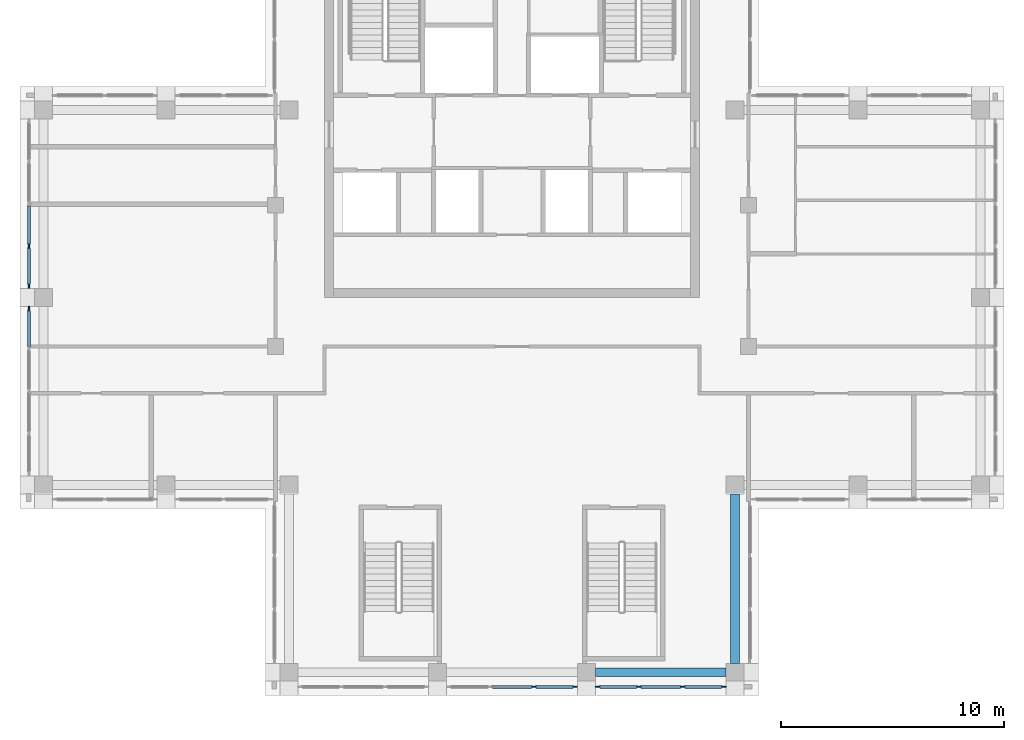
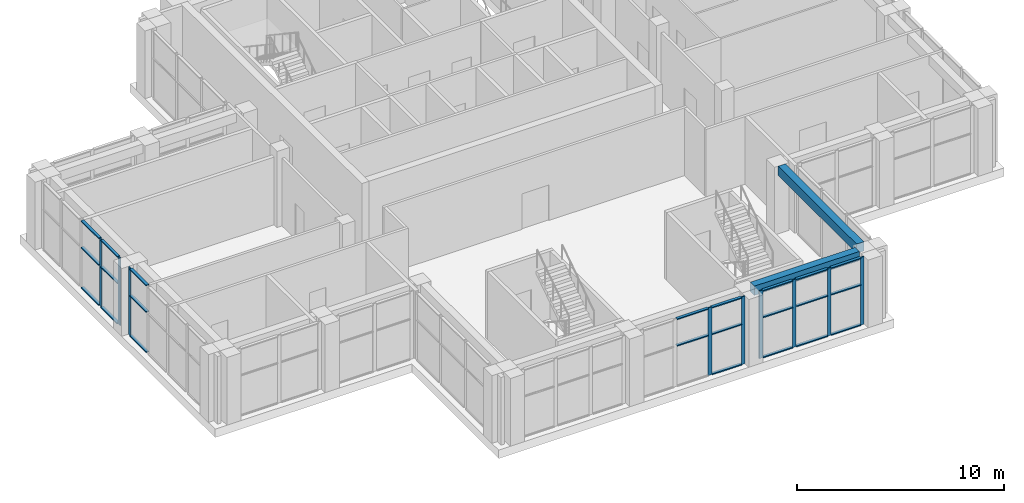
# One storey, part 3 of 14: 32 members, 2 beams, 4 elements without a shape of their own.
"""IFC4 building model written with IfcOpenShell, lengths in metres."""

from ifc_helpers import new_model, si_unit, direction, frame, origin, origin_2d, place, context, subcontext, project, spatial, rectangle, extrude, material, material_profile, profile_set, type_object, element, aggregate, save


model = new_model("IFC4")

# Units and contexts
model_context = context("Model", 3, precision=1e-05, world=origin(), true_north=direction((0.0, 1.0)))
body_context = subcontext(model_context, "Body", "Model", "MODEL_VIEW")
ifc_project = project(units=[si_unit("LENGTHUNIT", "METRE"), si_unit("AREAUNIT", "SQUARE_METRE"), si_unit("VOLUMEUNIT", "CUBIC_METRE"), si_unit("PLANEANGLEUNIT", "RADIAN"), si_unit("MASSUNIT", "GRAM", prefix="KILO")], contexts=[model_context])

# Site, building, storey
site_placement = place(None, origin())
site = spatial("IfcSite", under=ifc_project, at=site_placement, CompositionType="ELEMENT")
building_placement = place(site_placement, origin())
building = spatial("IfcBuilding", under=site, at=building_placement, Name="Vermilion Ogive Tower", CompositionType="ELEMENT")
storey_placement = place(building_placement, frame((0.0, 0.0, 273.85009765625)))
storey = spatial("IfcBuildingStorey", under=building, at=storey_placement, Name="L72", CompositionType="ELEMENT", Elevation=273.85009765625)

# Curtain wall, members
ifc_material_1 = material(Name="Laminated solar-control glazing in aluminium frame", Category="aluminium")
curtain_wall_type = type_object("IfcCurtainWallType", Name="Curtain wall CW4", PredefinedType="NOTDEFINED", material=ifc_material_1)
curtain_wall_1_placement = place(storey_placement, origin())
curtain_wall_1 = element("IfcCurtainWall", 1, at=curtain_wall_1_placement, inside=storey, type_object=curtain_wall_type, Name="CW4 glazing S2", PredefinedType="NOTDEFINED")
ifc_material_2 = material(Name="Aluminium mullion", Category="aluminium")
ifc_material_profile_1 = material_profile(ifc_material_2, rectangle(XDim=0.06005859375, YDim=0.199951171875, at=origin_2d()), Name="AL 60x200")
ifc_profile_set_1 = profile_set([ifc_material_profile_1], Name="Aluminium mullion")
member_type_1 = type_object("IfcMemberType", Name="CW4 mullion 60x200", PredefinedType="MULLION", material=ifc_profile_set_1)
member_1_placement = place(storey_placement, frame((0.977783203125, -13.25, 0.0), z_axis=(0.0, 0.0, 1.0), x_axis=(0.0, 1.0, 0.0)))
member_1 = element("IfcMember", 2, at=member_1_placement, type_object=member_type_1, Name="CW4-S2 mullion 3", PredefinedType="MULLION", context=body_context, shape_type="SweptSolid", body=[
    extrude(rectangle(XDim=0.06005859375, YDim=0.199951171875, at=origin_2d()), origin(), (0.0, 0.0, 1.0), 4.0),
])
member_2_placement = place(storey_placement, frame((2.833251953125, -13.25, 0.0), z_axis=(0.0, 0.0, 1.0), x_axis=(0.0, 1.0, 0.0)))
member_2 = element("IfcMember", 3, at=member_2_placement, type_object=member_type_1, Name="CW4-S2 mullion 4", PredefinedType="MULLION", context=body_context, shape_type="SweptSolid", body=[
    extrude(rectangle(XDim=0.06005859375, YDim=0.199951171875, at=origin_2d()), origin(), (0.0, 0.0, 1.0), 4.0),
])

curtain_wall_2_placement = place(storey_placement, origin())
curtain_wall_2 = element("IfcCurtainWall", 4, at=curtain_wall_2_placement, inside=storey, type_object=curtain_wall_type, Name="CW4 glazing S3", PredefinedType="NOTDEFINED")
member_3_placement = place(storey_placement, frame((3.833251953125, -13.25, 0.0), z_axis=(0.0, 0.0, 1.0), x_axis=(0.0, 1.0, 0.0)))
member_3 = element("IfcMember", 5, at=member_3_placement, type_object=member_type_1, Name="CW4-S3 mullion 1", PredefinedType="MULLION", context=body_context, shape_type="SweptSolid", body=[
    extrude(rectangle(XDim=0.06005859375, YDim=0.199951171875, at=origin_2d()), origin(), (0.0, 0.0, 1.0), 4.0),
])
member_4_placement = place(storey_placement, frame((5.68896484375, -13.25, 0.0), z_axis=(0.0, 0.0, 1.0), x_axis=(0.0, 1.0, 0.0)))
member_4 = element("IfcMember", 6, at=member_4_placement, type_object=member_type_1, Name="CW4-S3 mullion 2", PredefinedType="MULLION", context=body_context, shape_type="SweptSolid", body=[
    extrude(rectangle(XDim=0.06005859375, YDim=0.199951171875, at=origin_2d()), origin(), (0.0, 0.0, 1.0), 4.0),
])
member_5_placement = place(storey_placement, frame((7.64453125, -13.25, 0.0), z_axis=(0.0, 0.0, 1.0), x_axis=(0.0, 1.0, 0.0)))
member_5 = element("IfcMember", 7, at=member_5_placement, type_object=member_type_1, Name="CW4-S3 mullion 3", PredefinedType="MULLION", context=body_context, shape_type="SweptSolid", body=[
    extrude(rectangle(XDim=0.06005859375, YDim=0.199951171875, at=origin_2d()), origin(), (0.0, 0.0, 1.0), 4.0),
])
member_6_placement = place(storey_placement, frame((9.5, -13.25, 0.0), z_axis=(0.0, 0.0, 1.0), x_axis=(0.0, 1.0, 0.0)))
member_6 = element("IfcMember", 8, at=member_6_placement, type_object=member_type_1, Name="CW4-S3 mullion 4", PredefinedType="MULLION", context=body_context, shape_type="SweptSolid", body=[
    extrude(rectangle(XDim=0.06005859375, YDim=0.199951171875, at=origin_2d()), origin(), (0.0, 0.0, 1.0), 4.0),
])

curtain_wall_3_placement = place(storey_placement, origin())
curtain_wall_3 = element("IfcCurtainWall", 9, at=curtain_wall_3_placement, inside=storey, type_object=curtain_wall_type, Name="CW4 glazing W1", PredefinedType="NOTDEFINED")
member_7_placement = place(storey_placement, frame((-21.64990234375, 6.5, 0.0), z_axis=(0.0, 0.0, 1.0), x_axis=(1.0, 0.0, 0.0)))
member_7 = element("IfcMember", 10, at=member_7_placement, type_object=member_type_1, Name="CW4-W1 mullion 4", PredefinedType="MULLION", context=body_context, shape_type="SweptSolid", body=[
    extrude(rectangle(XDim=0.06005859375, YDim=0.199951171875, at=origin_2d()), origin(), (0.0, 0.0, 1.0), 4.0),
])
member_8_placement = place(storey_placement, frame((-21.64990234375, 4.699951171875, 0.0), z_axis=(0.0, 0.0, 1.0), x_axis=(1.0, 0.0, 0.0)))
member_8 = element("IfcMember", 11, at=member_8_placement, type_object=member_type_1, Name="CW4-W1 mullion 5", PredefinedType="MULLION", context=body_context, shape_type="SweptSolid", body=[
    extrude(rectangle(XDim=0.06005859375, YDim=0.199951171875, at=origin_2d()), origin(), (0.0, 0.0, 1.0), 4.0),
])

# Curtain wall, member
curtain_wall_4_placement = place(storey_placement, origin())
curtain_wall_4 = element("IfcCurtainWall", 12, at=curtain_wall_4_placement, inside=storey, type_object=curtain_wall_type, Name="CW4 glazing W2", PredefinedType="NOTDEFINED")
member_9_placement = place(storey_placement, frame((-21.64990234375, 3.699951171875, 0.0), z_axis=(0.0, 0.0, 1.0), x_axis=(1.0, 0.0, 0.0)))
member_9 = element("IfcMember", 13, at=member_9_placement, type_object=member_type_1, Name="CW4-W2 mullion 1", PredefinedType="MULLION", context=body_context, shape_type="SweptSolid", body=[
    extrude(rectangle(XDim=0.06005859375, YDim=0.199951171875, at=origin_2d()), origin(), (0.0, 0.0, 1.0), 4.0),
])

# Member
ifc_material_3 = material(Name="Aluminium transom", Category="aluminium")
ifc_material_profile_2 = material_profile(ifc_material_3, rectangle(XDim=0.159912109375, YDim=0.06005859375, at=origin_2d()), Name="AL 60x160")
ifc_profile_set_2 = profile_set([ifc_material_profile_2], Name="Aluminium transom")
member_type_2 = type_object("IfcMemberType", Name="CW4 transom 60x160", PredefinedType="USERDEFINED", material=ifc_profile_set_2)
member_10_placement = place(storey_placement, frame((-0.877685546875, -13.25, 2.39990234375), z_axis=(1.0, 0.0, 0.0), x_axis=(0.0, 1.0, 0.0)))
member_10 = element("IfcMember", 14, at=member_10_placement, type_object=member_type_2, Name="CW4-S2 transom 2.2", ObjectType="TRANSOM", PredefinedType="USERDEFINED", context=body_context, shape_type="SweptSolid", body=[
    extrude(rectangle(XDim=0.159912109375, YDim=0.06005859375, at=origin_2d()), origin(), (0.0, 0.0, 1.0), 1.75537109375),
])

member_11_placement = place(storey_placement, frame((-0.877685546875, -13.25, 3.969970703125), z_axis=(1.0, 0.0, 0.0), x_axis=(0.0, 1.0, 0.0)))
member_11 = element("IfcMember", 15, at=member_11_placement, type_object=member_type_2, Name="CW4-S2 transom 2.3", ObjectType="TRANSOM", PredefinedType="USERDEFINED", context=body_context, shape_type="SweptSolid", body=[
    extrude(rectangle(XDim=0.159912109375, YDim=0.06005859375, at=origin_2d()), origin(), (0.0, 0.0, 1.0), 1.75537109375),
])

member_12_placement = place(storey_placement, frame((1.077880859375, -13.25, 0.02978515625), z_axis=(1.0, 0.0, 0.0), x_axis=(0.0, 1.0, 0.0)))
member_12 = element("IfcMember", 16, at=member_12_placement, type_object=member_type_2, Name="CW4-S2 transom 3.1", ObjectType="TRANSOM", PredefinedType="USERDEFINED", context=body_context, shape_type="SweptSolid", body=[
    extrude(rectangle(XDim=0.159912109375, YDim=0.06005859375, at=origin_2d()), origin(), (0.0, 0.0, 1.0), 1.655517578125),
])

member_13_placement = place(storey_placement, frame((1.077880859375, -13.25, 2.39990234375), z_axis=(1.0, 0.0, 0.0), x_axis=(0.0, 1.0, 0.0)))
member_13 = element("IfcMember", 17, at=member_13_placement, type_object=member_type_2, Name="CW4-S2 transom 3.2", ObjectType="TRANSOM", PredefinedType="USERDEFINED", context=body_context, shape_type="SweptSolid", body=[
    extrude(rectangle(XDim=0.159912109375, YDim=0.06005859375, at=origin_2d()), origin(), (0.0, 0.0, 1.0), 1.655517578125),
])

member_14_placement = place(storey_placement, frame((1.077880859375, -13.25, 3.969970703125), z_axis=(1.0, 0.0, 0.0), x_axis=(0.0, 1.0, 0.0)))
member_14 = element("IfcMember", 18, at=member_14_placement, type_object=member_type_2, Name="CW4-S2 transom 3.3", ObjectType="TRANSOM", PredefinedType="USERDEFINED", context=body_context, shape_type="SweptSolid", body=[
    extrude(rectangle(XDim=0.159912109375, YDim=0.06005859375, at=origin_2d()), origin(), (0.0, 0.0, 1.0), 1.655517578125),
])

aggregate(curtain_wall_1, [member_1, member_2, member_10, member_11, member_12, member_13, member_14])

member_15_placement = place(storey_placement, frame((3.933349609375, -13.25, 0.02978515625), z_axis=(1.0, 0.0, 0.0), x_axis=(0.0, 1.0, 0.0)))
member_15 = element("IfcMember", 19, at=member_15_placement, type_object=member_type_2, Name="CW4-S3 transom 1.1", ObjectType="TRANSOM", PredefinedType="USERDEFINED", context=body_context, shape_type="SweptSolid", body=[
    extrude(rectangle(XDim=0.159912109375, YDim=0.06005859375, at=origin_2d()), origin(), (0.0, 0.0, 1.0), 1.655517578125),
])

member_16_placement = place(storey_placement, frame((3.933349609375, -13.25, 2.39990234375), z_axis=(1.0, 0.0, 0.0), x_axis=(0.0, 1.0, 0.0)))
member_16 = element("IfcMember", 20, at=member_16_placement, type_object=member_type_2, Name="CW4-S3 transom 1.2", ObjectType="TRANSOM", PredefinedType="USERDEFINED", context=body_context, shape_type="SweptSolid", body=[
    extrude(rectangle(XDim=0.159912109375, YDim=0.06005859375, at=origin_2d()), origin(), (0.0, 0.0, 1.0), 1.655517578125),
])

member_17_placement = place(storey_placement, frame((3.933349609375, -13.25, 3.969970703125), z_axis=(1.0, 0.0, 0.0), x_axis=(0.0, 1.0, 0.0)))
member_17 = element("IfcMember", 21, at=member_17_placement, type_object=member_type_2, Name="CW4-S3 transom 1.3", ObjectType="TRANSOM", PredefinedType="USERDEFINED", context=body_context, shape_type="SweptSolid", body=[
    extrude(rectangle(XDim=0.159912109375, YDim=0.06005859375, at=origin_2d()), origin(), (0.0, 0.0, 1.0), 1.655517578125),
])

member_18_placement = place(storey_placement, frame((5.788818359375, -13.25, 0.02978515625), z_axis=(1.0, 0.0, 0.0), x_axis=(0.0, 1.0, 0.0)))
member_18 = element("IfcMember", 22, at=member_18_placement, type_object=member_type_2, Name="CW4-S3 transom 2.1", ObjectType="TRANSOM", PredefinedType="USERDEFINED", context=body_context, shape_type="SweptSolid", body=[
    extrude(rectangle(XDim=0.159912109375, YDim=0.06005859375, at=origin_2d()), origin(), (0.0, 0.0, 1.0), 1.755615234375),
])

member_19_placement = place(storey_placement, frame((5.788818359375, -13.25, 2.39990234375), z_axis=(1.0, 0.0, 0.0), x_axis=(0.0, 1.0, 0.0)))
member_19 = element("IfcMember", 23, at=member_19_placement, type_object=member_type_2, Name="CW4-S3 transom 2.2", ObjectType="TRANSOM", PredefinedType="USERDEFINED", context=body_context, shape_type="SweptSolid", body=[
    extrude(rectangle(XDim=0.159912109375, YDim=0.06005859375, at=origin_2d()), origin(), (0.0, 0.0, 1.0), 1.755615234375),
])

member_20_placement = place(storey_placement, frame((5.788818359375, -13.25, 3.969970703125), z_axis=(1.0, 0.0, 0.0), x_axis=(0.0, 1.0, 0.0)))
member_20 = element("IfcMember", 24, at=member_20_placement, type_object=member_type_2, Name="CW4-S3 transom 2.3", ObjectType="TRANSOM", PredefinedType="USERDEFINED", context=body_context, shape_type="SweptSolid", body=[
    extrude(rectangle(XDim=0.159912109375, YDim=0.06005859375, at=origin_2d()), origin(), (0.0, 0.0, 1.0), 1.755615234375),
])

member_21_placement = place(storey_placement, frame((7.744384765625, -13.25, 0.02978515625), z_axis=(1.0, 0.0, 0.0), x_axis=(0.0, 1.0, 0.0)))
member_21 = element("IfcMember", 25, at=member_21_placement, type_object=member_type_2, Name="CW4-S3 transom 3.1", ObjectType="TRANSOM", PredefinedType="USERDEFINED", context=body_context, shape_type="SweptSolid", body=[
    extrude(rectangle(XDim=0.159912109375, YDim=0.06005859375, at=origin_2d()), origin(), (0.0, 0.0, 1.0), 1.655517578125),
])

member_22_placement = place(storey_placement, frame((7.744384765625, -13.25, 2.39990234375), z_axis=(1.0, 0.0, 0.0), x_axis=(0.0, 1.0, 0.0)))
member_22 = element("IfcMember", 26, at=member_22_placement, type_object=member_type_2, Name="CW4-S3 transom 3.2", ObjectType="TRANSOM", PredefinedType="USERDEFINED", context=body_context, shape_type="SweptSolid", body=[
    extrude(rectangle(XDim=0.159912109375, YDim=0.06005859375, at=origin_2d()), origin(), (0.0, 0.0, 1.0), 1.655517578125),
])

member_23_placement = place(storey_placement, frame((7.744384765625, -13.25, 3.969970703125), z_axis=(1.0, 0.0, 0.0), x_axis=(0.0, 1.0, 0.0)))
member_23 = element("IfcMember", 27, at=member_23_placement, type_object=member_type_2, Name="CW4-S3 transom 3.3", ObjectType="TRANSOM", PredefinedType="USERDEFINED", context=body_context, shape_type="SweptSolid", body=[
    extrude(rectangle(XDim=0.159912109375, YDim=0.06005859375, at=origin_2d()), origin(), (0.0, 0.0, 1.0), 1.655517578125),
])

aggregate(curtain_wall_2, [member_3, member_4, member_5, member_6, member_15, member_16, member_17, member_18, member_19, member_20, member_21, member_22, member_23])

member_24_placement = place(storey_placement, frame((-21.64990234375, 8.300048828125, 0.02978515625), z_axis=(0.0, -1.0, 0.0), x_axis=(1.0, 0.0, 0.0)))
member_24 = element("IfcMember", 28, at=member_24_placement, type_object=member_type_2, Name="CW4-W1 transom 3.1", ObjectType="TRANSOM", PredefinedType="USERDEFINED", context=body_context, shape_type="SweptSolid", body=[
    extrude(rectangle(XDim=0.159912109375, YDim=0.06005859375, at=origin_2d()), origin(), (0.0, 0.0, 1.0), 1.699951171875),
])

member_25_placement = place(storey_placement, frame((-21.64990234375, 8.300048828125, 2.39990234375), z_axis=(0.0, -1.0, 0.0), x_axis=(1.0, 0.0, 0.0)))
member_25 = element("IfcMember", 29, at=member_25_placement, type_object=member_type_2, Name="CW4-W1 transom 3.2", ObjectType="TRANSOM", PredefinedType="USERDEFINED", context=body_context, shape_type="SweptSolid", body=[
    extrude(rectangle(XDim=0.159912109375, YDim=0.06005859375, at=origin_2d()), origin(), (0.0, 0.0, 1.0), 1.699951171875),
])

member_26_placement = place(storey_placement, frame((-21.64990234375, 8.300048828125, 3.969970703125), z_axis=(0.0, -1.0, 0.0), x_axis=(1.0, 0.0, 0.0)))
member_26 = element("IfcMember", 30, at=member_26_placement, type_object=member_type_2, Name="CW4-W1 transom 3.3", ObjectType="TRANSOM", PredefinedType="USERDEFINED", context=body_context, shape_type="SweptSolid", body=[
    extrude(rectangle(XDim=0.159912109375, YDim=0.06005859375, at=origin_2d()), origin(), (0.0, 0.0, 1.0), 1.699951171875),
])

member_27_placement = place(storey_placement, frame((-21.64990234375, 6.39990234375, 0.02978515625), z_axis=(0.0, -1.0, 0.0), x_axis=(1.0, 0.0, 0.0)))
member_27 = element("IfcMember", 31, at=member_27_placement, type_object=member_type_2, Name="CW4-W1 transom 4.1", ObjectType="TRANSOM", PredefinedType="USERDEFINED", context=body_context, shape_type="SweptSolid", body=[
    extrude(rectangle(XDim=0.159912109375, YDim=0.06005859375, at=origin_2d()), origin(), (0.0, 0.0, 1.0), 1.599853515625),
])

member_28_placement = place(storey_placement, frame((-21.64990234375, 6.39990234375, 2.39990234375), z_axis=(0.0, -1.0, 0.0), x_axis=(1.0, 0.0, 0.0)))
member_28 = element("IfcMember", 32, at=member_28_placement, type_object=member_type_2, Name="CW4-W1 transom 4.2", ObjectType="TRANSOM", PredefinedType="USERDEFINED", context=body_context, shape_type="SweptSolid", body=[
    extrude(rectangle(XDim=0.159912109375, YDim=0.06005859375, at=origin_2d()), origin(), (0.0, 0.0, 1.0), 1.599853515625),
])

member_29_placement = place(storey_placement, frame((-21.64990234375, 6.39990234375, 3.969970703125), z_axis=(0.0, -1.0, 0.0), x_axis=(1.0, 0.0, 0.0)))
member_29 = element("IfcMember", 33, at=member_29_placement, type_object=member_type_2, Name="CW4-W1 transom 4.3", ObjectType="TRANSOM", PredefinedType="USERDEFINED", context=body_context, shape_type="SweptSolid", body=[
    extrude(rectangle(XDim=0.159912109375, YDim=0.06005859375, at=origin_2d()), origin(), (0.0, 0.0, 1.0), 1.599853515625),
])

aggregate(curtain_wall_3, [member_7, member_8, member_24, member_25, member_26, member_27, member_28, member_29])

member_30_placement = place(storey_placement, frame((-21.64990234375, 3.60009765625, 0.02978515625), z_axis=(0.0, -1.0, 0.0), x_axis=(1.0, 0.0, 0.0)))
member_30 = element("IfcMember", 34, at=member_30_placement, type_object=member_type_2, Name="CW4-W2 transom 1.1", ObjectType="TRANSOM", PredefinedType="USERDEFINED", context=body_context, shape_type="SweptSolid", body=[
    extrude(rectangle(XDim=0.159912109375, YDim=0.06005859375, at=origin_2d()), origin(), (0.0, 0.0, 1.0), 1.60009765625),
])

member_31_placement = place(storey_placement, frame((-21.64990234375, 3.60009765625, 2.39990234375), z_axis=(0.0, -1.0, 0.0), x_axis=(1.0, 0.0, 0.0)))
member_31 = element("IfcMember", 35, at=member_31_placement, type_object=member_type_2, Name="CW4-W2 transom 1.2", ObjectType="TRANSOM", PredefinedType="USERDEFINED", context=body_context, shape_type="SweptSolid", body=[
    extrude(rectangle(XDim=0.159912109375, YDim=0.06005859375, at=origin_2d()), origin(), (0.0, 0.0, 1.0), 1.60009765625),
])

member_32_placement = place(storey_placement, frame((-21.64990234375, 3.60009765625, 3.969970703125), z_axis=(0.0, -1.0, 0.0), x_axis=(1.0, 0.0, 0.0)))
member_32 = element("IfcMember", 36, at=member_32_placement, type_object=member_type_2, Name="CW4-W2 transom 1.3", ObjectType="TRANSOM", PredefinedType="USERDEFINED", context=body_context, shape_type="SweptSolid", body=[
    extrude(rectangle(XDim=0.159912109375, YDim=0.06005859375, at=origin_2d()), origin(), (0.0, 0.0, 1.0), 1.60009765625),
])

aggregate(curtain_wall_4, [member_9, member_30, member_31, member_32])

# Beams
ifc_material_4 = material(Name="Concrete B45", Category="concrete")
ifc_material_profile_3 = material_profile(ifc_material_4, rectangle(XDim=0.39990234375, YDim=0.550048828125, at=origin_2d()), Name="400 x 550")
ifc_profile_set_3 = profile_set([ifc_material_profile_3], Name="Concrete B45")
beam_type = type_object("IfcBeamType", Name="Edge beam 400 x 550 B45", PredefinedType="BEAM", material=ifc_profile_set_3)
beam_1_placement = place(storey_placement, frame((3.7333984375, -12.60009765625, 3.724853515625), z_axis=(1.0, 0.0, 0.0), x_axis=(0.0, 1.0, 0.0)))
element("IfcBeam", 37, at=beam_1_placement, inside=storey, type_object=beam_type, Name="L72-EB-3", PredefinedType="BEAM", context=body_context, shape_type="SweptSolid", body=[
    extrude(rectangle(XDim=0.39990234375, YDim=0.550048828125, at=origin_2d()), origin(), (0.0, 0.0, 1.0), 5.86669921875),
])
beam_2_placement = place(storey_placement, frame((10.0, -12.199951171875, 3.724853515625), z_axis=(0.0, 1.0, 0.0), x_axis=(-1.0, 0.0, 0.0)))
element("IfcBeam", 38, at=beam_2_placement, inside=storey, type_object=beam_type, Name="L72-EB-4", PredefinedType="BEAM", context=body_context, shape_type="SweptSolid", body=[
    extrude(rectangle(XDim=0.39990234375, YDim=0.550048828125, at=origin_2d()), origin(), (0.0, 0.0, 1.0), 7.599853515625),
])

save(model, "model.ifc")
